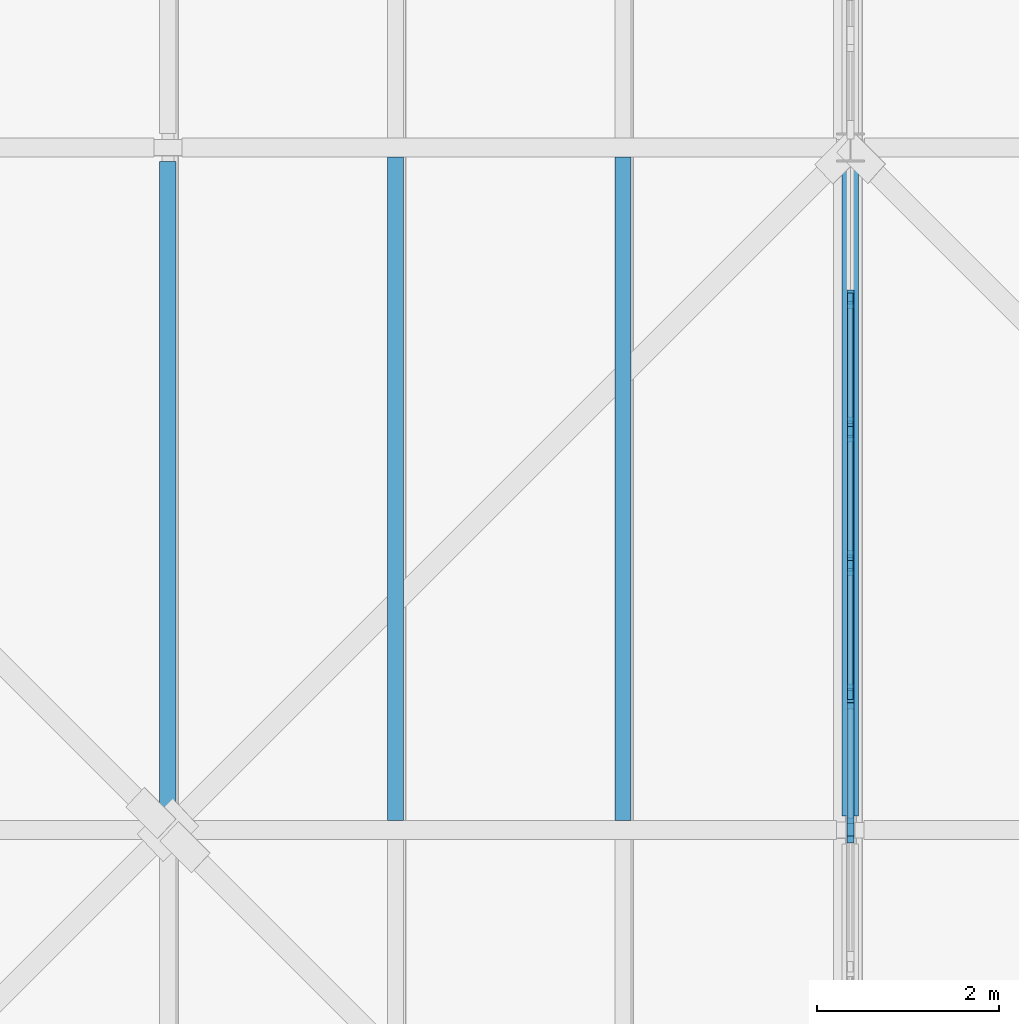
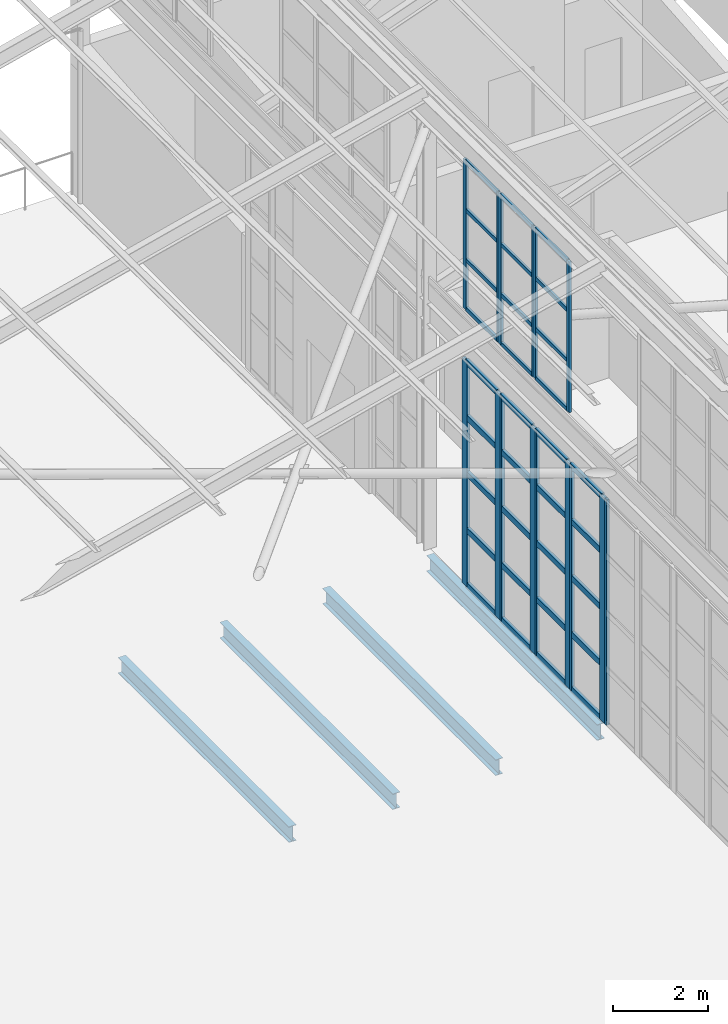
# One storey, part 35 of 483: 47 members, 4 beams, 8 elements without a shape of their own.
"""IFC4 building model written with IfcOpenShell, lengths in metres."""

from ifc_helpers import new_model, si_unit, direction, frame, origin, origin_2d, place, context, subcontext, project, spatial, rectangle, i_section, extrude, material, material_profile, profile_set, type_object, element, aggregate, save


model = new_model("IFC4")

# Units and contexts
model_context = context("Model", 3, precision=1e-05, world=origin(), true_north=direction((0.0, 1.0)))
body_context = subcontext(model_context, "Body", "Model", "MODEL_VIEW")
ifc_project = project(units=[si_unit("LENGTHUNIT", "METRE"), si_unit("AREAUNIT", "SQUARE_METRE"), si_unit("VOLUMEUNIT", "CUBIC_METRE"), si_unit("PLANEANGLEUNIT", "RADIAN"), si_unit("MASSUNIT", "GRAM", prefix="KILO")], contexts=[model_context])

# Site, building, storey
site_placement = place(None, origin())
site = spatial("IfcSite", under=ifc_project, at=site_placement, CompositionType="ELEMENT")
building_placement = place(site_placement, origin())
building = spatial("IfcBuilding", under=site, at=building_placement, Name="Parallax Yard Mobility Hub", CompositionType="ELEMENT")
storey_placement = place(building_placement, frame((0.0, 0.0, 13.199951171875)))
storey = spatial("IfcBuildingStorey", under=building, at=storey_placement, Name="L04", CompositionType="ELEMENT", Elevation=13.199951171875)

# Curtain wall, members
ifc_material_1 = material(Name="Thermally broken aluminium curtain wall system", Category="aluminium")
curtain_wall_type_1 = type_object("IfcCurtainWallType", Name="Clerestory glazing run 60 x 120 frame", PredefinedType="NOTDEFINED", material=ifc_material_1)
curtain_wall_1_placement = place(storey_placement, origin())
curtain_wall_1 = element("IfcCurtainWall", 1, at=curtain_wall_1_placement, inside=storey, type_object=curtain_wall_type_1, Name="Clerestory glazing run Rooftop sports deck roof step 1 bay 3 level L04", PredefinedType="NOTDEFINED")
ifc_material_2 = material(Name="Extruded aluminium", Category="aluminium")
ifc_material_profile_1 = material_profile(ifc_material_2, rectangle(XDim=0.06005859375, YDim=0.1201171875, at=origin_2d()), Name="Mullion 60 x 120")
ifc_profile_set_1 = profile_set([ifc_material_profile_1], Name="Extruded aluminium")
member_type_1 = type_object("IfcMemberType", Name="Mullion 60 x 120", PredefinedType="MULLION", material=ifc_profile_set_1)
member_1_placement = place(storey_placement, frame((127.5, 31.49609375, 7.087890625), z_axis=(0.0, 0.0, 1.0), x_axis=(-1.0, 0.0, 0.0)))
member_1 = element("IfcMember", 2, at=member_1_placement, type_object=member_type_1, Name="CW4 mullion 1", PredefinedType="MULLION", context=body_context, shape_type="SweptSolid", body=[
    extrude(rectangle(XDim=0.06005859375, YDim=0.1201171875, at=origin_2d()), origin(), (0.0, 0.0, 1.0), 3.877197265625),
])
member_2_placement = place(storey_placement, frame((127.5, 32.90478515625, 7.087890625), z_axis=(0.0, 0.0, 1.0), x_axis=(-1.0, 0.0, 0.0)))
member_2 = element("IfcMember", 3, at=member_2_placement, type_object=member_type_1, Name="CW4 mullion 2", PredefinedType="MULLION", context=body_context, shape_type="SweptSolid", body=[
    extrude(rectangle(XDim=0.06005859375, YDim=0.1201171875, at=origin_2d()), origin(), (0.0, 0.0, 1.0), 3.877197265625),
])

curtain_wall_2_placement = place(storey_placement, origin())
curtain_wall_2 = element("IfcCurtainWall", 4, at=curtain_wall_2_placement, inside=storey, type_object=curtain_wall_type_1, Name="Clerestory glazing run Rooftop sports deck roof step 1 bay 3 level L04", PredefinedType="NOTDEFINED")
member_3_placement = place(storey_placement, frame((127.5, 32.96484375, 7.087890625), z_axis=(0.0, 0.0, 1.0), x_axis=(-1.0, 0.0, 0.0)))
member_3 = element("IfcMember", 5, at=member_3_placement, type_object=member_type_1, Name="CW4 mullion 1", PredefinedType="MULLION", context=body_context, shape_type="SweptSolid", body=[
    extrude(rectangle(XDim=0.06005859375, YDim=0.1201171875, at=origin_2d()), origin(), (0.0, 0.0, 1.0), 3.862060546875),
])
member_4_placement = place(storey_placement, frame((127.5, 34.37353515625, 7.087890625), z_axis=(0.0, 0.0, 1.0), x_axis=(-1.0, 0.0, 0.0)))
member_4 = element("IfcMember", 6, at=member_4_placement, type_object=member_type_1, Name="CW4 mullion 2", PredefinedType="MULLION", context=body_context, shape_type="SweptSolid", body=[
    extrude(rectangle(XDim=0.06005859375, YDim=0.1201171875, at=origin_2d()), origin(), (0.0, 0.0, 1.0), 3.862060546875),
])

curtain_wall_3_placement = place(storey_placement, origin())
curtain_wall_3 = element("IfcCurtainWall", 7, at=curtain_wall_3_placement, inside=storey, type_object=curtain_wall_type_1, Name="Clerestory glazing run Rooftop sports deck roof step 1 bay 3 level L04", PredefinedType="NOTDEFINED")
member_5_placement = place(storey_placement, frame((127.5, 34.43359375, 7.087890625), z_axis=(0.0, 0.0, 1.0), x_axis=(-1.0, 0.0, 0.0)))
member_5 = element("IfcMember", 8, at=member_5_placement, type_object=member_type_1, Name="CW4 mullion 1", PredefinedType="MULLION", context=body_context, shape_type="SweptSolid", body=[
    extrude(rectangle(XDim=0.06005859375, YDim=0.1201171875, at=origin_2d()), origin(), (0.0, 0.0, 1.0), 3.84814453125),
])
member_6_placement = place(storey_placement, frame((127.5, 35.84228515625, 7.087890625), z_axis=(0.0, 0.0, 1.0), x_axis=(-1.0, 0.0, 0.0)))
member_6 = element("IfcMember", 9, at=member_6_placement, type_object=member_type_1, Name="CW4 mullion 2", PredefinedType="MULLION", context=body_context, shape_type="SweptSolid", body=[
    extrude(rectangle(XDim=0.06005859375, YDim=0.1201171875, at=origin_2d()), origin(), (0.0, 0.0, 1.0), 3.84814453125),
])

# Curtain wall, member
curtain_wall_type_2 = type_object("IfcCurtainWallType", Name="Tall curtain wall run 75 x 200 frame", PredefinedType="NOTDEFINED", material=ifc_material_1)
curtain_wall_4_placement = place(storey_placement, origin())
curtain_wall_4 = element("IfcCurtainWall", 10, at=curtain_wall_4_placement, inside=storey, type_object=curtain_wall_type_2, Name="Curtain wall run Rooftop sports deck west bay 2 level L04", PredefinedType="NOTDEFINED")
ifc_material_profile_2 = material_profile(ifc_material_2, rectangle(XDim=0.074951171875, YDim=0.199951171875, at=origin_2d()), Name="Mullion 75 x 200")
ifc_profile_set_2 = profile_set([ifc_material_profile_2], Name="Extruded aluminium")
member_type_2 = type_object("IfcMemberType", Name="Mullion 75 x 200", PredefinedType="MULLION", material=ifc_profile_set_2)
member_7_placement = place(storey_placement, frame((127.5, 29.959716796875, 0.0), z_axis=(0.0, 0.0, 1.0), x_axis=(-1.0, 0.0, 0.0)))
member_7 = element("IfcMember", 11, at=member_7_placement, type_object=member_type_2, Name="CW3 mullion 2", PredefinedType="MULLION", context=body_context, shape_type="SweptSolid", body=[
    extrude(rectangle(XDim=0.074951171875, YDim=0.199951171875, at=origin_2d()), origin(), (0.0, 0.0, 1.0), 5.800048828125),
])
aggregate(curtain_wall_4, [member_7])

# Curtain wall, members
curtain_wall_5_placement = place(storey_placement, origin())
curtain_wall_5 = element("IfcCurtainWall", 12, at=curtain_wall_5_placement, inside=storey, type_object=curtain_wall_type_2, Name="Curtain wall run Rooftop sports deck west bay 2 level L04", PredefinedType="NOTDEFINED")
member_8_placement = place(storey_placement, frame((127.5, 30.034912109375, 0.0), z_axis=(0.0, 0.0, 1.0), x_axis=(-1.0, 0.0, 0.0)))
member_8 = element("IfcMember", 13, at=member_8_placement, type_object=member_type_2, Name="CW3 mullion 1", PredefinedType="MULLION", context=body_context, shape_type="SweptSolid", body=[
    extrude(rectangle(XDim=0.074951171875, YDim=0.199951171875, at=origin_2d()), origin(), (0.0, 0.0, 1.0), 5.800048828125),
])
member_9_placement = place(storey_placement, frame((127.5, 31.428466796875, 0.0), z_axis=(0.0, 0.0, 1.0), x_axis=(-1.0, 0.0, 0.0)))
member_9 = element("IfcMember", 14, at=member_9_placement, type_object=member_type_2, Name="CW3 mullion 2", PredefinedType="MULLION", context=body_context, shape_type="SweptSolid", body=[
    extrude(rectangle(XDim=0.074951171875, YDim=0.199951171875, at=origin_2d()), origin(), (0.0, 0.0, 1.0), 5.800048828125),
])

curtain_wall_6_placement = place(storey_placement, origin())
curtain_wall_6 = element("IfcCurtainWall", 15, at=curtain_wall_6_placement, inside=storey, type_object=curtain_wall_type_2, Name="Curtain wall run Rooftop sports deck west bay 2 level L04", PredefinedType="NOTDEFINED")
member_10_placement = place(storey_placement, frame((127.5, 31.50341796875, 0.0), z_axis=(0.0, 0.0, 1.0), x_axis=(-1.0, 0.0, 0.0)))
member_10 = element("IfcMember", 16, at=member_10_placement, type_object=member_type_2, Name="CW3 mullion 1", PredefinedType="MULLION", context=body_context, shape_type="SweptSolid", body=[
    extrude(rectangle(XDim=0.074951171875, YDim=0.199951171875, at=origin_2d()), origin(), (0.0, 0.0, 1.0), 5.800048828125),
])
member_11_placement = place(storey_placement, frame((127.5, 32.897216796875, 0.0), z_axis=(0.0, 0.0, 1.0), x_axis=(-1.0, 0.0, 0.0)))
member_11 = element("IfcMember", 17, at=member_11_placement, type_object=member_type_2, Name="CW3 mullion 2", PredefinedType="MULLION", context=body_context, shape_type="SweptSolid", body=[
    extrude(rectangle(XDim=0.074951171875, YDim=0.199951171875, at=origin_2d()), origin(), (0.0, 0.0, 1.0), 5.800048828125),
])

curtain_wall_7_placement = place(storey_placement, origin())
curtain_wall_7 = element("IfcCurtainWall", 18, at=curtain_wall_7_placement, inside=storey, type_object=curtain_wall_type_2, Name="Curtain wall run Rooftop sports deck west bay 2 level L04", PredefinedType="NOTDEFINED")
member_12_placement = place(storey_placement, frame((127.5, 32.972412109375, 0.0), z_axis=(0.0, 0.0, 1.0), x_axis=(-1.0, 0.0, 0.0)))
member_12 = element("IfcMember", 19, at=member_12_placement, type_object=member_type_2, Name="CW3 mullion 1", PredefinedType="MULLION", context=body_context, shape_type="SweptSolid", body=[
    extrude(rectangle(XDim=0.074951171875, YDim=0.199951171875, at=origin_2d()), origin(), (0.0, 0.0, 1.0), 5.800048828125),
])
member_13_placement = place(storey_placement, frame((127.5, 34.365966796875, 0.0), z_axis=(0.0, 0.0, 1.0), x_axis=(-1.0, 0.0, 0.0)))
member_13 = element("IfcMember", 20, at=member_13_placement, type_object=member_type_2, Name="CW3 mullion 2", PredefinedType="MULLION", context=body_context, shape_type="SweptSolid", body=[
    extrude(rectangle(XDim=0.074951171875, YDim=0.199951171875, at=origin_2d()), origin(), (0.0, 0.0, 1.0), 5.800048828125),
])

curtain_wall_8_placement = place(storey_placement, origin())
curtain_wall_8 = element("IfcCurtainWall", 21, at=curtain_wall_8_placement, inside=storey, type_object=curtain_wall_type_2, Name="Curtain wall run Rooftop sports deck west bay 2 level L04", PredefinedType="NOTDEFINED")
member_14_placement = place(storey_placement, frame((127.5, 34.44091796875, 0.0), z_axis=(0.0, 0.0, 1.0), x_axis=(-1.0, 0.0, 0.0)))
member_14 = element("IfcMember", 22, at=member_14_placement, type_object=member_type_2, Name="CW3 mullion 1", PredefinedType="MULLION", context=body_context, shape_type="SweptSolid", body=[
    extrude(rectangle(XDim=0.074951171875, YDim=0.199951171875, at=origin_2d()), origin(), (0.0, 0.0, 1.0), 5.800048828125),
])
member_15_placement = place(storey_placement, frame((127.5, 35.834716796875, 0.0), z_axis=(0.0, 0.0, 1.0), x_axis=(-1.0, 0.0, 0.0)))
member_15 = element("IfcMember", 23, at=member_15_placement, type_object=member_type_2, Name="CW3 mullion 2", PredefinedType="MULLION", context=body_context, shape_type="SweptSolid", body=[
    extrude(rectangle(XDim=0.074951171875, YDim=0.199951171875, at=origin_2d()), origin(), (0.0, 0.0, 1.0), 5.800048828125),
])

# Member
ifc_material_profile_3 = material_profile(ifc_material_2, rectangle(XDim=0.06005859375, YDim=0.10009765625, at=origin_2d()), Name="Transom 60 x 100")
ifc_profile_set_3 = profile_set([ifc_material_profile_3], Name="Extruded aluminium")
member_type_3 = type_object("IfcMemberType", Name="Transom 60 x 100", PredefinedType="USERDEFINED", material=ifc_profile_set_3)
member_16_placement = place(storey_placement, frame((127.5, 31.52587890625, 7.117919921875), z_axis=(0.0, 1.0, 0.0), x_axis=(-1.0, 0.0, 0.0)))
member_16 = element("IfcMember", 24, at=member_16_placement, type_object=member_type_3, Name="CW4 transom 1.1", ObjectType="TRANSOM", PredefinedType="USERDEFINED", context=body_context, shape_type="SweptSolid", body=[
    extrude(rectangle(XDim=0.06005859375, YDim=0.10009765625, at=origin_2d()), origin(), (0.0, 0.0, 1.0), 1.348876953125),
])

member_17_placement = place(storey_placement, frame((127.5, 31.52587890625, 8.380126953125), z_axis=(0.0, 1.0, 0.0), x_axis=(-1.0, 0.0, 0.0)))
member_17 = element("IfcMember", 25, at=member_17_placement, type_object=member_type_3, Name="CW4 transom 1.2", ObjectType="TRANSOM", PredefinedType="USERDEFINED", context=body_context, shape_type="SweptSolid", body=[
    extrude(rectangle(XDim=0.06005859375, YDim=0.10009765625, at=origin_2d()), origin(), (0.0, 0.0, 1.0), 1.348876953125),
])

member_18_placement = place(storey_placement, frame((127.5, 31.52587890625, 9.672607421875), z_axis=(0.0, 1.0, 0.0), x_axis=(-1.0, 0.0, 0.0)))
member_18 = element("IfcMember", 26, at=member_18_placement, type_object=member_type_3, Name="CW4 transom 1.3", ObjectType="TRANSOM", PredefinedType="USERDEFINED", context=body_context, shape_type="SweptSolid", body=[
    extrude(rectangle(XDim=0.06005859375, YDim=0.10009765625, at=origin_2d()), origin(), (0.0, 0.0, 1.0), 1.348876953125),
])

member_19_placement = place(storey_placement, frame((127.5, 31.52587890625, 10.93505859375), z_axis=(0.0, 1.0, 0.0), x_axis=(-1.0, 0.0, 0.0)))
member_19 = element("IfcMember", 27, at=member_19_placement, type_object=member_type_3, Name="CW4 transom 1.4", ObjectType="TRANSOM", PredefinedType="USERDEFINED", context=body_context, shape_type="SweptSolid", body=[
    extrude(rectangle(XDim=0.06005859375, YDim=0.10009765625, at=origin_2d()), origin(), (0.0, 0.0, 1.0), 1.348876953125),
])

aggregate(curtain_wall_1, [member_1, member_2, member_16, member_17, member_18, member_19])

member_20_placement = place(storey_placement, frame((127.5, 32.994873046875, 7.117919921875), z_axis=(0.0, 1.0, 0.0), x_axis=(-1.0, 0.0, 0.0)))
member_20 = element("IfcMember", 28, at=member_20_placement, type_object=member_type_3, Name="CW4 transom 1.1", ObjectType="TRANSOM", PredefinedType="USERDEFINED", context=body_context, shape_type="SweptSolid", body=[
    extrude(rectangle(XDim=0.06005859375, YDim=0.10009765625, at=origin_2d()), origin(), (0.0, 0.0, 1.0), 1.3486328125),
])

member_21_placement = place(storey_placement, frame((127.5, 32.994873046875, 8.375244140625), z_axis=(0.0, 1.0, 0.0), x_axis=(-1.0, 0.0, 0.0)))
member_21 = element("IfcMember", 29, at=member_21_placement, type_object=member_type_3, Name="CW4 transom 1.2", ObjectType="TRANSOM", PredefinedType="USERDEFINED", context=body_context, shape_type="SweptSolid", body=[
    extrude(rectangle(XDim=0.06005859375, YDim=0.10009765625, at=origin_2d()), origin(), (0.0, 0.0, 1.0), 1.3486328125),
])

member_22_placement = place(storey_placement, frame((127.5, 32.994873046875, 9.66259765625), z_axis=(0.0, 1.0, 0.0), x_axis=(-1.0, 0.0, 0.0)))
member_22 = element("IfcMember", 30, at=member_22_placement, type_object=member_type_3, Name="CW4 transom 1.3", ObjectType="TRANSOM", PredefinedType="USERDEFINED", context=body_context, shape_type="SweptSolid", body=[
    extrude(rectangle(XDim=0.06005859375, YDim=0.10009765625, at=origin_2d()), origin(), (0.0, 0.0, 1.0), 1.3486328125),
])

member_23_placement = place(storey_placement, frame((127.5, 32.994873046875, 10.920166015625), z_axis=(0.0, 1.0, 0.0), x_axis=(-1.0, 0.0, 0.0)))
member_23 = element("IfcMember", 31, at=member_23_placement, type_object=member_type_3, Name="CW4 transom 1.4", ObjectType="TRANSOM", PredefinedType="USERDEFINED", context=body_context, shape_type="SweptSolid", body=[
    extrude(rectangle(XDim=0.06005859375, YDim=0.10009765625, at=origin_2d()), origin(), (0.0, 0.0, 1.0), 1.3486328125),
])

aggregate(curtain_wall_2, [member_3, member_4, member_20, member_21, member_22, member_23])

member_24_placement = place(storey_placement, frame((127.5, 34.46337890625, 7.117919921875), z_axis=(0.0, 1.0, 0.0), x_axis=(-1.0, 0.0, 0.0)))
member_24 = element("IfcMember", 32, at=member_24_placement, type_object=member_type_3, Name="CW4 transom 1.1", ObjectType="TRANSOM", PredefinedType="USERDEFINED", context=body_context, shape_type="SweptSolid", body=[
    extrude(rectangle(XDim=0.06005859375, YDim=0.10009765625, at=origin_2d()), origin(), (0.0, 0.0, 1.0), 1.348876953125),
])

member_25_placement = place(storey_placement, frame((127.5, 34.46337890625, 8.37060546875), z_axis=(0.0, 1.0, 0.0), x_axis=(-1.0, 0.0, 0.0)))
member_25 = element("IfcMember", 33, at=member_25_placement, type_object=member_type_3, Name="CW4 transom 1.2", ObjectType="TRANSOM", PredefinedType="USERDEFINED", context=body_context, shape_type="SweptSolid", body=[
    extrude(rectangle(XDim=0.06005859375, YDim=0.10009765625, at=origin_2d()), origin(), (0.0, 0.0, 1.0), 1.348876953125),
])

member_26_placement = place(storey_placement, frame((127.5, 34.46337890625, 9.6533203125), z_axis=(0.0, 1.0, 0.0), x_axis=(-1.0, 0.0, 0.0)))
member_26 = element("IfcMember", 34, at=member_26_placement, type_object=member_type_3, Name="CW4 transom 1.3", ObjectType="TRANSOM", PredefinedType="USERDEFINED", context=body_context, shape_type="SweptSolid", body=[
    extrude(rectangle(XDim=0.06005859375, YDim=0.10009765625, at=origin_2d()), origin(), (0.0, 0.0, 1.0), 1.348876953125),
])

member_27_placement = place(storey_placement, frame((127.5, 34.46337890625, 10.906005859375), z_axis=(0.0, 1.0, 0.0), x_axis=(-1.0, 0.0, 0.0)))
member_27 = element("IfcMember", 35, at=member_27_placement, type_object=member_type_3, Name="CW4 transom 1.4", ObjectType="TRANSOM", PredefinedType="USERDEFINED", context=body_context, shape_type="SweptSolid", body=[
    extrude(rectangle(XDim=0.06005859375, YDim=0.10009765625, at=origin_2d()), origin(), (0.0, 0.0, 1.0), 1.348876953125),
])

aggregate(curtain_wall_3, [member_5, member_6, member_24, member_25, member_26, member_27])

ifc_material_profile_4 = material_profile(ifc_material_2, rectangle(XDim=0.074951171875, YDim=0.14990234375, at=origin_2d()), Name="Transom 75 x 150")
ifc_profile_set_4 = profile_set([ifc_material_profile_4], Name="Extruded aluminium")
member_type_4 = type_object("IfcMemberType", Name="Transom 75 x 150", PredefinedType="USERDEFINED", material=ifc_profile_set_4)
member_28_placement = place(storey_placement, frame((127.5, 30.072265625, 0.03759765625), z_axis=(0.0, 1.0, 0.0), x_axis=(-1.0, 0.0, 0.0)))
member_28 = element("IfcMember", 36, at=member_28_placement, type_object=member_type_4, Name="CW3 transom 1.1", ObjectType="TRANSOM", PredefinedType="USERDEFINED", context=body_context, shape_type="SweptSolid", body=[
    extrude(rectangle(XDim=0.074951171875, YDim=0.14990234375, at=origin_2d()), origin(), (0.0, 0.0, 1.0), 1.31884765625),
])

member_29_placement = place(storey_placement, frame((127.5, 30.072265625, 1.449951171875), z_axis=(0.0, 1.0, 0.0), x_axis=(-1.0, 0.0, 0.0)))
member_29 = element("IfcMember", 37, at=member_29_placement, type_object=member_type_4, Name="CW3 transom 1.2", ObjectType="TRANSOM", PredefinedType="USERDEFINED", context=body_context, shape_type="SweptSolid", body=[
    extrude(rectangle(XDim=0.074951171875, YDim=0.14990234375, at=origin_2d()), origin(), (0.0, 0.0, 1.0), 1.31884765625),
])

member_30_placement = place(storey_placement, frame((127.5, 30.072265625, 2.900146484375), z_axis=(0.0, 1.0, 0.0), x_axis=(-1.0, 0.0, 0.0)))
member_30 = element("IfcMember", 38, at=member_30_placement, type_object=member_type_4, Name="CW3 transom 1.3", ObjectType="TRANSOM", PredefinedType="USERDEFINED", context=body_context, shape_type="SweptSolid", body=[
    extrude(rectangle(XDim=0.074951171875, YDim=0.14990234375, at=origin_2d()), origin(), (0.0, 0.0, 1.0), 1.31884765625),
])

member_31_placement = place(storey_placement, frame((127.5, 30.072265625, 4.35009765625), z_axis=(0.0, 1.0, 0.0), x_axis=(-1.0, 0.0, 0.0)))
member_31 = element("IfcMember", 39, at=member_31_placement, type_object=member_type_4, Name="CW3 transom 1.4", ObjectType="TRANSOM", PredefinedType="USERDEFINED", context=body_context, shape_type="SweptSolid", body=[
    extrude(rectangle(XDim=0.074951171875, YDim=0.14990234375, at=origin_2d()), origin(), (0.0, 0.0, 1.0), 1.31884765625),
])

member_32_placement = place(storey_placement, frame((127.5, 30.072265625, 5.762451171875), z_axis=(0.0, 1.0, 0.0), x_axis=(-1.0, 0.0, 0.0)))
member_32 = element("IfcMember", 40, at=member_32_placement, type_object=member_type_4, Name="CW3 transom 1.5", ObjectType="TRANSOM", PredefinedType="USERDEFINED", context=body_context, shape_type="SweptSolid", body=[
    extrude(rectangle(XDim=0.074951171875, YDim=0.14990234375, at=origin_2d()), origin(), (0.0, 0.0, 1.0), 1.31884765625),
])

aggregate(curtain_wall_5, [member_8, member_9, member_28, member_29, member_30, member_31, member_32])

member_33_placement = place(storey_placement, frame((127.5, 31.541015625, 0.03759765625), z_axis=(0.0, 1.0, 0.0), x_axis=(-1.0, 0.0, 0.0)))
member_33 = element("IfcMember", 41, at=member_33_placement, type_object=member_type_4, Name="CW3 transom 1.1", ObjectType="TRANSOM", PredefinedType="USERDEFINED", context=body_context, shape_type="SweptSolid", body=[
    extrude(rectangle(XDim=0.074951171875, YDim=0.14990234375, at=origin_2d()), origin(), (0.0, 0.0, 1.0), 1.31884765625),
])

member_34_placement = place(storey_placement, frame((127.5, 31.541015625, 1.449951171875), z_axis=(0.0, 1.0, 0.0), x_axis=(-1.0, 0.0, 0.0)))
member_34 = element("IfcMember", 42, at=member_34_placement, type_object=member_type_4, Name="CW3 transom 1.2", ObjectType="TRANSOM", PredefinedType="USERDEFINED", context=body_context, shape_type="SweptSolid", body=[
    extrude(rectangle(XDim=0.074951171875, YDim=0.14990234375, at=origin_2d()), origin(), (0.0, 0.0, 1.0), 1.31884765625),
])

member_35_placement = place(storey_placement, frame((127.5, 31.541015625, 2.900146484375), z_axis=(0.0, 1.0, 0.0), x_axis=(-1.0, 0.0, 0.0)))
member_35 = element("IfcMember", 43, at=member_35_placement, type_object=member_type_4, Name="CW3 transom 1.3", ObjectType="TRANSOM", PredefinedType="USERDEFINED", context=body_context, shape_type="SweptSolid", body=[
    extrude(rectangle(XDim=0.074951171875, YDim=0.14990234375, at=origin_2d()), origin(), (0.0, 0.0, 1.0), 1.31884765625),
])

member_36_placement = place(storey_placement, frame((127.5, 31.541015625, 4.35009765625), z_axis=(0.0, 1.0, 0.0), x_axis=(-1.0, 0.0, 0.0)))
member_36 = element("IfcMember", 44, at=member_36_placement, type_object=member_type_4, Name="CW3 transom 1.4", ObjectType="TRANSOM", PredefinedType="USERDEFINED", context=body_context, shape_type="SweptSolid", body=[
    extrude(rectangle(XDim=0.074951171875, YDim=0.14990234375, at=origin_2d()), origin(), (0.0, 0.0, 1.0), 1.31884765625),
])

member_37_placement = place(storey_placement, frame((127.5, 31.541015625, 5.762451171875), z_axis=(0.0, 1.0, 0.0), x_axis=(-1.0, 0.0, 0.0)))
member_37 = element("IfcMember", 45, at=member_37_placement, type_object=member_type_4, Name="CW3 transom 1.5", ObjectType="TRANSOM", PredefinedType="USERDEFINED", context=body_context, shape_type="SweptSolid", body=[
    extrude(rectangle(XDim=0.074951171875, YDim=0.14990234375, at=origin_2d()), origin(), (0.0, 0.0, 1.0), 1.31884765625),
])

aggregate(curtain_wall_6, [member_10, member_11, member_33, member_34, member_35, member_36, member_37])

member_38_placement = place(storey_placement, frame((127.5, 33.009765625, 0.03759765625), z_axis=(0.0, 1.0, 0.0), x_axis=(-1.0, 0.0, 0.0)))
member_38 = element("IfcMember", 46, at=member_38_placement, type_object=member_type_4, Name="CW3 transom 1.1", ObjectType="TRANSOM", PredefinedType="USERDEFINED", context=body_context, shape_type="SweptSolid", body=[
    extrude(rectangle(XDim=0.074951171875, YDim=0.14990234375, at=origin_2d()), origin(), (0.0, 0.0, 1.0), 1.31884765625),
])

member_39_placement = place(storey_placement, frame((127.5, 33.009765625, 1.449951171875), z_axis=(0.0, 1.0, 0.0), x_axis=(-1.0, 0.0, 0.0)))
member_39 = element("IfcMember", 47, at=member_39_placement, type_object=member_type_4, Name="CW3 transom 1.2", ObjectType="TRANSOM", PredefinedType="USERDEFINED", context=body_context, shape_type="SweptSolid", body=[
    extrude(rectangle(XDim=0.074951171875, YDim=0.14990234375, at=origin_2d()), origin(), (0.0, 0.0, 1.0), 1.31884765625),
])

member_40_placement = place(storey_placement, frame((127.5, 33.009765625, 2.900146484375), z_axis=(0.0, 1.0, 0.0), x_axis=(-1.0, 0.0, 0.0)))
member_40 = element("IfcMember", 48, at=member_40_placement, type_object=member_type_4, Name="CW3 transom 1.3", ObjectType="TRANSOM", PredefinedType="USERDEFINED", context=body_context, shape_type="SweptSolid", body=[
    extrude(rectangle(XDim=0.074951171875, YDim=0.14990234375, at=origin_2d()), origin(), (0.0, 0.0, 1.0), 1.31884765625),
])

member_41_placement = place(storey_placement, frame((127.5, 33.009765625, 4.35009765625), z_axis=(0.0, 1.0, 0.0), x_axis=(-1.0, 0.0, 0.0)))
member_41 = element("IfcMember", 49, at=member_41_placement, type_object=member_type_4, Name="CW3 transom 1.4", ObjectType="TRANSOM", PredefinedType="USERDEFINED", context=body_context, shape_type="SweptSolid", body=[
    extrude(rectangle(XDim=0.074951171875, YDim=0.14990234375, at=origin_2d()), origin(), (0.0, 0.0, 1.0), 1.31884765625),
])

member_42_placement = place(storey_placement, frame((127.5, 33.009765625, 5.762451171875), z_axis=(0.0, 1.0, 0.0), x_axis=(-1.0, 0.0, 0.0)))
member_42 = element("IfcMember", 50, at=member_42_placement, type_object=member_type_4, Name="CW3 transom 1.5", ObjectType="TRANSOM", PredefinedType="USERDEFINED", context=body_context, shape_type="SweptSolid", body=[
    extrude(rectangle(XDim=0.074951171875, YDim=0.14990234375, at=origin_2d()), origin(), (0.0, 0.0, 1.0), 1.31884765625),
])

aggregate(curtain_wall_7, [member_12, member_13, member_38, member_39, member_40, member_41, member_42])

member_43_placement = place(storey_placement, frame((127.5, 34.478515625, 0.03759765625), z_axis=(0.0, 1.0, 0.0), x_axis=(-1.0, 0.0, 0.0)))
member_43 = element("IfcMember", 51, at=member_43_placement, type_object=member_type_4, Name="CW3 transom 1.1", ObjectType="TRANSOM", PredefinedType="USERDEFINED", context=body_context, shape_type="SweptSolid", body=[
    extrude(rectangle(XDim=0.074951171875, YDim=0.14990234375, at=origin_2d()), origin(), (0.0, 0.0, 1.0), 1.31884765625),
])

member_44_placement = place(storey_placement, frame((127.5, 34.478515625, 1.449951171875), z_axis=(0.0, 1.0, 0.0), x_axis=(-1.0, 0.0, 0.0)))
member_44 = element("IfcMember", 52, at=member_44_placement, type_object=member_type_4, Name="CW3 transom 1.2", ObjectType="TRANSOM", PredefinedType="USERDEFINED", context=body_context, shape_type="SweptSolid", body=[
    extrude(rectangle(XDim=0.074951171875, YDim=0.14990234375, at=origin_2d()), origin(), (0.0, 0.0, 1.0), 1.31884765625),
])

member_45_placement = place(storey_placement, frame((127.5, 34.478515625, 2.900146484375), z_axis=(0.0, 1.0, 0.0), x_axis=(-1.0, 0.0, 0.0)))
member_45 = element("IfcMember", 53, at=member_45_placement, type_object=member_type_4, Name="CW3 transom 1.3", ObjectType="TRANSOM", PredefinedType="USERDEFINED", context=body_context, shape_type="SweptSolid", body=[
    extrude(rectangle(XDim=0.074951171875, YDim=0.14990234375, at=origin_2d()), origin(), (0.0, 0.0, 1.0), 1.31884765625),
])

member_46_placement = place(storey_placement, frame((127.5, 34.478515625, 4.35009765625), z_axis=(0.0, 1.0, 0.0), x_axis=(-1.0, 0.0, 0.0)))
member_46 = element("IfcMember", 54, at=member_46_placement, type_object=member_type_4, Name="CW3 transom 1.4", ObjectType="TRANSOM", PredefinedType="USERDEFINED", context=body_context, shape_type="SweptSolid", body=[
    extrude(rectangle(XDim=0.074951171875, YDim=0.14990234375, at=origin_2d()), origin(), (0.0, 0.0, 1.0), 1.31884765625),
])

member_47_placement = place(storey_placement, frame((127.5, 34.478515625, 5.762451171875), z_axis=(0.0, 1.0, 0.0), x_axis=(-1.0, 0.0, 0.0)))
member_47 = element("IfcMember", 55, at=member_47_placement, type_object=member_type_4, Name="CW3 transom 1.5", ObjectType="TRANSOM", PredefinedType="USERDEFINED", context=body_context, shape_type="SweptSolid", body=[
    extrude(rectangle(XDim=0.074951171875, YDim=0.14990234375, at=origin_2d()), origin(), (0.0, 0.0, 1.0), 1.31884765625),
])

aggregate(curtain_wall_8, [member_14, member_15, member_43, member_44, member_45, member_46, member_47])

# Beams
ifc_material_3 = material(Name="Steel ASTM A992", Category="steel")
ifc_material_profile_5 = material_profile(ifc_material_3, i_section(OverallWidth=0.177978515625, OverallDepth=0.406005859375, WebThickness=0.0078125, FlangeThickness=0.0126953125, FilletRadius=0.01025390625, at=origin_2d()), Name="W410x60")
ifc_profile_set_5 = profile_set([ifc_material_profile_5], Name="Steel ASTM A992")
beam_type_1 = type_object("IfcBeamType", Name="W410x60 secondary beam", PredefinedType="JOIST", material=ifc_profile_set_5)
for number, where, z_axis, x_axis, name in (
    (56, (122.5, 30.1044921875, -0.343017578125), (0.0, 1.0, 0.0), (-1.0, 0.0, 0.0), "Secondary beam B1 level L04, 2.5 m east of line 17 of mobility service centre and workshops, span 4"),
    (57, (125.0, 30.1044921875, -0.343017578125), (0.0, 1.0, 0.0), (-1.0, 0.0, 0.0), "Secondary beam B1 level L04, 5 m east of line 17 of mobility service centre and workshops, span 4"),
):
    element("IfcBeam", number, at=place(storey_placement, frame(where, z_axis=z_axis, x_axis=x_axis)), inside=storey, type_object=beam_type_1, Name=name, PredefinedType="JOIST", context=body_context, shape_type="SweptSolid", body=[
        extrude(i_section(OverallWidth=0.177978515625, OverallDepth=0.406005859375, WebThickness=0.0078125, FlangeThickness=0.0126953125, FilletRadius=0.01025390625, at=origin_2d()), origin(), (0.0, 0.0, 1.0), 7.291015625),
    ])
ifc_material_profile_6 = material_profile(ifc_material_3, i_section(OverallWidth=0.178955078125, OverallDepth=0.408935546875, WebThickness=0.0087890625, FlangeThickness=0.014404296875, FilletRadius=0.01025390625, at=origin_2d()), Name="W410x67")
ifc_profile_set_6 = profile_set([ifc_material_profile_6], Name="Steel ASTM A992")
beam_type_2 = type_object("IfcBeamType", Name="W410x67 girder", PredefinedType="BEAM", material=ifc_profile_set_6)
beam_1_placement = place(storey_placement, frame((120.0, 30.153564453125, -0.344482421875), z_axis=(0.0, 1.0, 0.0), x_axis=(-1.0, 0.0, 0.0)))
element("IfcBeam", 58, at=beam_1_placement, inside=storey, type_object=beam_type_2, Name="Girder G1 level L04, line 17 of mobility service centre and workshops, span 4", PredefinedType="BEAM", context=body_context, shape_type="SweptSolid", body=[
    extrude(i_section(OverallWidth=0.178955078125, OverallDepth=0.408935546875, WebThickness=0.0087890625, FlangeThickness=0.014404296875, FilletRadius=0.01025390625, at=origin_2d()), origin(), (0.0, 0.0, 1.0), 7.19287109375),
])
beam_2_placement = place(storey_placement, frame((127.5, 30.153564453125, -0.344482421875), z_axis=(0.0, 1.0, 0.0), x_axis=(-1.0, 0.0, 0.0)))
element("IfcBeam", 59, at=beam_2_placement, inside=storey, type_object=beam_type_2, Name="Girder G1 level L04, line 18 of mobility service centre and workshops, span 4", PredefinedType="BEAM", context=body_context, shape_type="SweptSolid", body=[
    extrude(i_section(OverallWidth=0.178955078125, OverallDepth=0.408935546875, WebThickness=0.0087890625, FlangeThickness=0.014404296875, FilletRadius=0.01025390625, at=origin_2d()), origin(), (0.0, 0.0, 1.0), 7.1875),
])

save(model, "model.ifc")
